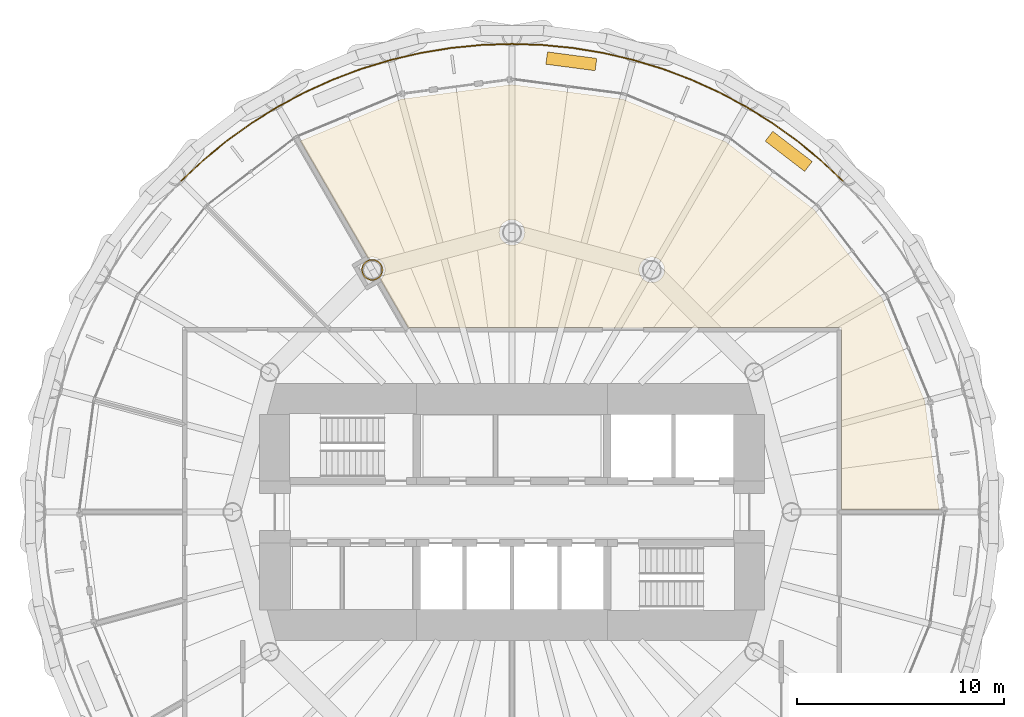
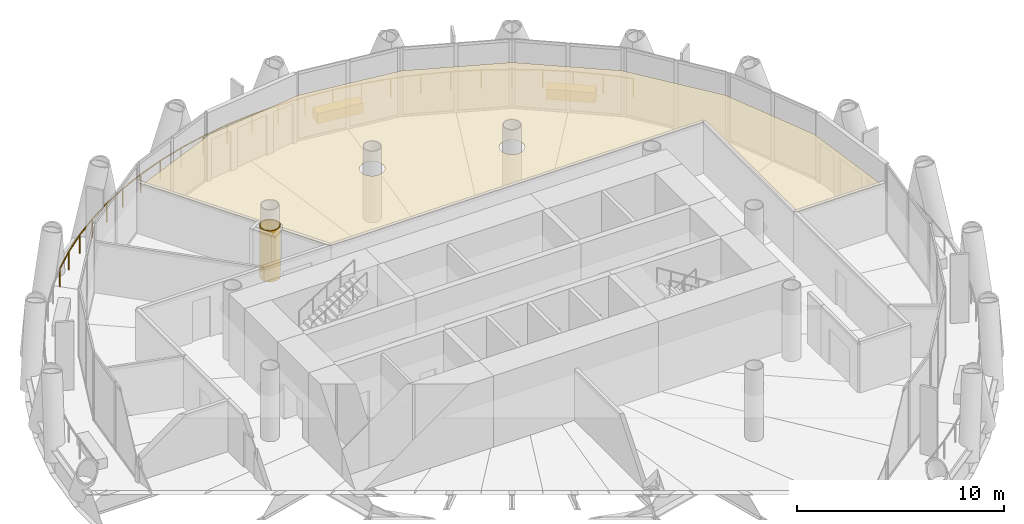
# One storey, part 14 of 14: 4 coverings, 1 railing.
"""IFC4 building model written with IfcOpenShell, lengths in metres."""

import ifcopenshell
import ifcopenshell.guid

model = None  # the IFC model being written
_history = None  # IfcOwnerHistory: only IFC2X3 demands one
_inside = {}  # id of a spatial element -> (the spatial element, [elements in it])
_under = {}  # id of a project, library or spatial element -> (it, [spatial elements below it])
_declared = {}  # id of a project -> (the project, [libraries it declares])
_typed = {}  # id of a type object -> (the type object, [elements of that type])
_made_of = {}  # id of a material, layer set ... -> (it, [elements and type objects made of it])


def new_model(schema):
    """Start an empty IFC model of exactly this schema.

    Asked for "IFC4X3", IfcOpenShell would pick the latest addendum, in which some entities
    have other attributes; the version numbers below select the first issue.
    IFC2X3 requires an IfcOwnerHistory on every rooted entity: one is made here for all.
    """
    global model, _history
    if schema == "IFC4X3":
        model = ifcopenshell.file(schema_version=(4, 3, 0, 0))
    else:
        model = ifcopenshell.file(schema=schema)
    _inside.clear()
    _under.clear()
    _declared.clear()
    _typed.clear()
    _made_of.clear()
    _history = None
    if model.schema == "IFC2X3":
        org = make("IfcOrganization", Name="unknown")
        user = make(
            "IfcPersonAndOrganization",
            ThePerson=make("IfcPerson", FamilyName="unknown"),
            TheOrganization=org,
        )
        app = make(
            "IfcApplication",
            ApplicationDeveloper=org,
            Version="unknown",
            ApplicationFullName="unknown",
            ApplicationIdentifier="unknown",
        )
        _history = make(
            "IfcOwnerHistory",
            OwningUser=user,
            OwningApplication=app,
            ChangeAction="ADDED",
            CreationDate=0,
        )
    return model


def make(cls, **values):
    """One entity of the class cls with the attributes given. An attribute that is None is left unset."""
    return model.create_entity(
        cls, **{name: value for name, value in values.items() if value is not None}
    )


def rooted(cls, **values):
    """An entity with a GlobalId (a new one), such as an element, a storey or a relation."""
    return make(cls, GlobalId=ifcopenshell.guid.new(), OwnerHistory=_history, **values)


def si_unit(unit_type, name, prefix=None):
    """IfcSIUnit, for example si_unit("LENGTHUNIT", "METRE", prefix="MILLI")."""
    return make("IfcSIUnit", UnitType=unit_type, Prefix=prefix, Name=name)


def assignment(units):
    """IfcUnitAssignment: the units of a project."""
    return None if units is None else make("IfcUnitAssignment", Units=units)


def point(xyz):
    """IfcCartesianPoint."""
    return None if xyz is None else make("IfcCartesianPoint", Coordinates=xyz)


def direction(xyz):
    """IfcDirection."""
    return None if xyz is None else make("IfcDirection", DirectionRatios=xyz)


def frame(location, z_axis=None, x_axis=None):
    """IfcAxis2Placement3D, a coordinate frame: its origin and axes. An axis left out is left unset."""
    return make(
        "IfcAxis2Placement3D",
        Location=point(location),
        Axis=direction(z_axis),
        RefDirection=direction(x_axis),
    )


def frame_2d(location, x_axis=None):
    """IfcAxis2Placement2D, a coordinate frame in the plane: its origin and x axis."""
    return make(
        "IfcAxis2Placement2D", Location=point(location), RefDirection=direction(x_axis)
    )


def origin():
    """The frame at (0, 0, 0) with its axes left unset."""
    return frame((0.0, 0.0, 0.0))


def origin_2d():
    """The frame at (0, 0) in the plane with its x axis left unset."""
    return frame_2d((0.0, 0.0))


def place(relative_to, where):
    """IfcLocalPlacement: puts the frame where relative to a parent placement (None: the world)."""
    return make(
        "IfcLocalPlacement", PlacementRelTo=relative_to, RelativePlacement=where
    )


def context(
    kind, dimensions, precision=None, world=None, true_north=None, identifier=None
):
    """IfcGeometricRepresentationContext, for example the 3D "Model" context."""
    return make(
        "IfcGeometricRepresentationContext",
        ContextIdentifier=identifier,
        ContextType=kind,
        CoordinateSpaceDimension=dimensions,
        Precision=precision,
        WorldCoordinateSystem=world,
        TrueNorth=true_north,
    )


def subcontext(parent, identifier, kind, view, scale=None):
    """IfcGeometricRepresentationSubContext, for example "Body" below "Model"."""
    return make(
        "IfcGeometricRepresentationSubContext",
        ContextIdentifier=identifier,
        ContextType=kind,
        ParentContext=parent,
        TargetScale=scale,
        TargetView=view,
    )


def project(units=None, contexts=None):
    """IfcProject with its units and contexts."""
    return rooted(
        "IfcProject",
        Name="project",
        RepresentationContexts=contexts,
        UnitsInContext=assignment(units),
    )


def spatial(cls, under=None, at=None, **own):
    """A site, building, storey or space (cls), placed at a placement, below another one or the project."""
    s = rooted(cls, ObjectPlacement=at, **own)
    if under is not None:
        _under.setdefault(under.id(), (under, []))[1].append(s)
    return s


def polyline(points):
    """IfcPolyline through the points."""
    return make("IfcPolyline", Points=[point(p) for p in points])


def profile(cls, at=None, kind="AREA", **sizes):
    """A parametric profile (cls). Its sizes go by their IFC names, for example OverallWidth=200.0."""
    return make(cls, ProfileType=kind, Position=at, **sizes)


def rectangle(**sizes):
    """IfcRectangleProfileDef."""
    return profile("IfcRectangleProfileDef", **sizes)


def circle(**sizes):
    """IfcCircleProfileDef."""
    return profile("IfcCircleProfileDef", **sizes)


def outline(outer, holes=None, kind="AREA"):
    """IfcArbitraryClosedProfileDef: a profile drawn as a closed curve; with holes, ...WithVoids."""
    if holes is None:
        return make("IfcArbitraryClosedProfileDef", ProfileType=kind, OuterCurve=outer)
    return make(
        "IfcArbitraryProfileDefWithVoids",
        ProfileType=kind,
        OuterCurve=outer,
        InnerCurves=holes,
    )


def extrude(swept, where, along, depth):
    """IfcExtrudedAreaSolid: the profile swept, set in the frame where, extruded along a direction by depth."""
    return make(
        "IfcExtrudedAreaSolid",
        SweptArea=swept,
        Position=where,
        ExtrudedDirection=direction(along),
        Depth=depth,
    )


def shape(context_of_items, identifier, shape_type, items):
    """IfcShapeRepresentation: the items that make up one representation, for example the "Body"."""
    return make(
        "IfcShapeRepresentation",
        ContextOfItems=context_of_items,
        RepresentationIdentifier=identifier,
        RepresentationType=shape_type,
        Items=items,
    )


def material(Name=None, Category=None):
    """IfcMaterial."""
    return make("IfcMaterial", Name=Name, Category=Category)


def layer(
    of_material, thickness, ventilated=None, Name=None, Category=None, Priority=None
):
    """IfcMaterialLayer: one layer of a wall or slab, of a material (None: an air gap)."""
    return make(
        "IfcMaterialLayer",
        Material=of_material,
        LayerThickness=thickness,
        IsVentilated=ventilated,
        Name=Name,
        Category=Category,
        Priority=Priority,
    )


def layer_set(layers, Name=None):
    """IfcMaterialLayerSet."""
    return make("IfcMaterialLayerSet", MaterialLayers=layers, LayerSetName=Name)


def made_of(thing, what):
    """Note that an element or type object is made of a material, layer set ...; save() writes the relation."""
    if what is not None:
        _made_of.setdefault(what.id(), (what, []))[1].append(thing)
    return thing


def type_object(cls, material=None, **own):
    """A type object (cls), such as IfcWallType, which elements share."""
    return made_of(rooted(cls, **own), material)


def element(
    cls,
    number,
    at=None,
    inside=None,
    cuts=None,
    type_object=None,
    material=None,
    context=None,
    identifier="Body",
    shape_type=None,
    held_by="IfcProductDefinitionShape",
    body=None,
    shapes=None,
    **own,
):
    """One element of the class cls, such as IfcWall. Its Tag is "e" and its number.

    at: its placement. inside: the storey or other place that contains it. cuts: it is an
    opening in that element (IfcRelVoidsElement). A single representation is given by context,
    identifier, shape_type and body (its items); several are given by shapes. held_by: the class
    of the entity that holds the representations. save() writes the other relations.
    """
    e = rooted(cls, Tag="e%d" % number, ObjectPlacement=at, **own)
    if body is not None:
        shapes = [shape(context, identifier, shape_type, body)]
    if shapes is not None:
        e.Representation = make(held_by, Representations=shapes)
    if inside is not None:
        _inside.setdefault(inside.id(), (inside, []))[1].append(e)
    if cuts is not None:
        rooted(
            "IfcRelVoidsElement", RelatingBuildingElement=cuts, RelatedOpeningElement=e
        )
    if type_object is not None:
        _typed.setdefault(type_object.id(), (type_object, []))[1].append(e)
    return made_of(e, material)


def aggregate(whole, parts):
    """IfcRelAggregates: a whole, such as a stair, and the parts it consists of."""
    return rooted("IfcRelAggregates", RelatingObject=whole, RelatedObjects=parts)


def save(model, path):
    """Write the relations noted so far, then the file.

    IfcRelAggregates (storeys below a building ...), IfcRelContainedInSpatialStructure (elements
    in a storey), IfcRelDefinesByType, IfcRelAssociatesMaterial and IfcRelDeclares: one each for
    every whole, place, type object, material and project.
    """
    for whole, parts in _under.values():
        aggregate(whole, parts)
    for where, things in _inside.values():
        rooted(
            "IfcRelContainedInSpatialStructure",
            RelatedElements=things,
            RelatingStructure=where,
        )
    for kind, things in _typed.values():
        rooted("IfcRelDefinesByType", RelatedObjects=things, RelatingType=kind)
    for what, things in _made_of.values():
        rooted("IfcRelAssociatesMaterial", RelatedObjects=things, RelatingMaterial=what)
    for by, libraries in _declared.values():
        rooted("IfcRelDeclares", RelatingContext=by, RelatedDefinitions=libraries)
    model.write(path)


model = new_model("IFC4")

# Units and contexts
model_context = context("Model", 3, precision=1e-05, world=origin(), true_north=direction((0.0, 1.0)))
body_context = subcontext(model_context, "Body", "Model", "MODEL_VIEW")
ifc_project = project(units=[si_unit("LENGTHUNIT", "METRE"), si_unit("AREAUNIT", "SQUARE_METRE"), si_unit("VOLUMEUNIT", "CUBIC_METRE"), si_unit("PLANEANGLEUNIT", "RADIAN"), si_unit("MASSUNIT", "GRAM", prefix="KILO")], contexts=[model_context])

# Site, building, storey
site_placement = place(None, origin())
site = spatial("IfcSite", under=ifc_project, at=site_placement, CompositionType="ELEMENT")
building_placement = place(site_placement, origin())
building = spatial("IfcBuilding", under=site, at=building_placement, Name="Qaws Media Tower", CompositionType="ELEMENT")
storey_placement = place(building_placement, frame((0.0, 0.0, 206.60009765625)))
storey = spatial("IfcBuildingStorey", under=building, at=storey_placement, Name="L47", CompositionType="ELEMENT", Elevation=206.60009765625)

# Railing
ifc_material_1 = material(Name="Stainless steel and glass guard", Category="steel")
railing_type = type_object("IfcRailingType", Name="Balcony guard 1100", PredefinedType="GUARDRAIL", material=ifc_material_1)
railing_placement = place(storey_placement, frame((75.980712890625, 65.980712890625, 0.0)))
element("IfcRailing", 1, at=railing_placement, inside=storey, type_object=railing_type, Name="GR1 balcony guard L47-1", PredefinedType="GUARDRAIL", context=body_context, shape_type="SweptSolid", body=[
    extrude(circle(Radius=0.02392578125, at=origin_2d()), frame((0.0, 0.0, 1.076171875), z_axis=(-0.729918010526, 0.683534708636, 0.0), x_axis=(-0.683534708636, -0.729918010526, 0.0)), (0.0, 0.0, 1.0), 1.47900390625),
    extrude(circle(Radius=0.02392578125, at=origin_2d()), frame((-1.07958984375, 1.010986328125, 1.076171875), z_axis=(-0.773044305148, 0.6343520334, 0.0), x_axis=(-0.6343520334, -0.773044305148, 0.0)), (0.0, 0.0, 1.0), 1.478759765625),
    extrude(circle(Radius=0.02392578125, at=origin_2d()), frame((-2.22265625, 1.948974609375, 1.076171875), z_axis=(-0.812806706409, 0.582533482314, 0.0), x_axis=(-0.582533482314, -0.812806706409, 0.0)), (0.0, 0.0, 1.0), 1.47900390625),
    extrude(circle(Radius=0.02392578125, at=origin_2d()), frame((-3.4248046875, 2.810546875, 1.076171875), z_axis=(-0.849183285446, 0.528098236808, 0.0), x_axis=(-0.528098236808, -0.849183285446, 0.0)), (0.0, 0.0, 1.0), 1.47900390625),
    extrude(circle(Radius=0.02392578125, at=origin_2d()), frame((-4.6806640625, 3.591552734375, 1.076171875), z_axis=(-0.881982540226, 0.471282079795, 0.0), x_axis=(-0.471282079795, -0.881982540226, 0.0)), (0.0, 0.0, 1.0), 1.47900390625),
    extrude(circle(Radius=0.02392578125, at=origin_2d()), frame((-5.985107421875, 4.28857421875, 1.076171875), z_axis=(-0.910846457391, 0.412745358615, 0.0), x_axis=(-0.412745358615, -0.910846457391, 0.0)), (0.0, 0.0, 1.0), 1.478759765625),
    extrude(circle(Radius=0.02392578125, at=origin_2d()), frame((-7.33203125, 4.89892578125, 1.076171875), z_axis=(-0.935887448914, 0.352299138469, 0.0), x_axis=(-0.352299138469, -0.935887448914, 0.0)), (0.0, 0.0, 1.0), 1.478759765625),
    extrude(circle(Radius=0.02392578125, at=origin_2d()), frame((-8.716064453125, 5.419921875, 1.076171875), z_axis=(-0.956963294231, 0.290208982449, 0.0), x_axis=(-0.290208982449, -0.956963294231, 0.0)), (0.0, 0.0, 1.0), 1.47900390625),
    extrude(circle(Radius=0.02392578125, at=origin_2d()), frame((-10.13134765625, 5.84912109375, 1.076171875), z_axis=(-0.973865554702, 0.227125254792, 0.0), x_axis=(-0.227125254792, -0.973865554702, 0.0)), (0.0, 0.0, 1.0), 1.47900390625),
    extrude(circle(Radius=0.02392578125, at=origin_2d()), frame((-11.57177734375, 6.18505859375, 1.076171875), z_axis=(-0.986633820175, 0.162953075722, 0.0), x_axis=(-0.162953075722, -0.986633820175, 0.0)), (0.0, 0.0, 1.0), 1.478759765625),
    extrude(circle(Radius=0.02392578125, at=origin_2d()), frame((-13.03076171875, 6.426025390625, 1.076171875), z_axis=(-0.995197674488, 0.097885589811, 0.0), x_axis=(-0.097885589811, -0.995197674488, 0.0)), (0.0, 0.0, 1.0), 1.47900390625),
    extrude(circle(Radius=0.02392578125, at=origin_2d()), frame((-14.502685546875, 6.57080078125, 1.076171875), z_axis=(-0.999460191698, 0.032853085257, 0.0), x_axis=(-0.032853085257, -0.999460191698, 0.0)), (0.0, 0.0, 1.0), 1.478759765625),
    extrude(circle(Radius=0.02392578125, at=origin_2d()), frame((-15.980712890625, 6.619384765625, 1.076171875), z_axis=(-0.999460191698, -0.032853085257, 0.0), x_axis=(0.032853085257, -0.999460191698, 0.0)), (0.0, 0.0, 1.0), 1.478759765625),
    extrude(circle(Radius=0.02392578125, at=origin_2d()), frame((-17.458740234375, 6.57080078125, 1.076171875), z_axis=(-0.995197674488, -0.097885589811, 0.0), x_axis=(0.097885589811, -0.995197674488, 0.0)), (0.0, 0.0, 1.0), 1.47900390625),
    extrude(circle(Radius=0.02392578125, at=origin_2d()), frame((-18.9306640625, 6.426025390625, 1.076171875), z_axis=(-0.986633820175, -0.162953075722, 0.0), x_axis=(0.162953075722, -0.986633820175, 0.0)), (0.0, 0.0, 1.0), 1.478759765625),
    extrude(circle(Radius=0.02392578125, at=origin_2d()), frame((-20.3896484375, 6.18505859375, 1.076171875), z_axis=(-0.973865554702, -0.227125254792, 0.0), x_axis=(0.227125254792, -0.973865554702, 0.0)), (0.0, 0.0, 1.0), 1.47900390625),
    extrude(circle(Radius=0.02392578125, at=origin_2d()), frame((-21.830078125, 5.84912109375, 1.076171875), z_axis=(-0.956963294231, -0.290208982449, 0.0), x_axis=(0.290208982449, -0.956963294231, 0.0)), (0.0, 0.0, 1.0), 1.47900390625),
    extrude(circle(Radius=0.02392578125, at=origin_2d()), frame((-23.245361328125, 5.419921875, 1.076171875), z_axis=(-0.935887448914, -0.352299138469, 0.0), x_axis=(0.352299138469, -0.935887448914, 0.0)), (0.0, 0.0, 1.0), 1.478759765625),
    extrude(circle(Radius=0.02392578125, at=origin_2d()), frame((-24.62939453125, 4.89892578125, 1.076171875), z_axis=(-0.910846457391, -0.412745358615, 0.0), x_axis=(0.412745358615, -0.910846457391, 0.0)), (0.0, 0.0, 1.0), 1.478759765625),
    extrude(circle(Radius=0.02392578125, at=origin_2d()), frame((-25.976318359375, 4.28857421875, 1.076171875), z_axis=(-0.881982540226, -0.471282079795, 0.0), x_axis=(0.471282079795, -0.881982540226, 0.0)), (0.0, 0.0, 1.0), 1.47900390625),
    extrude(circle(Radius=0.02392578125, at=origin_2d()), frame((-27.28076171875, 3.591552734375, 1.076171875), z_axis=(-0.849183285446, -0.528098236808, 0.0), x_axis=(0.528098236808, -0.849183285446, 0.0)), (0.0, 0.0, 1.0), 1.47900390625),
    extrude(circle(Radius=0.02392578125, at=origin_2d()), frame((-28.53662109375, 2.810546875, 1.076171875), z_axis=(-0.812806706409, -0.582533482314, 0.0), x_axis=(0.582533482314, -0.812806706409, 0.0)), (0.0, 0.0, 1.0), 1.47900390625),
    extrude(circle(Radius=0.02392578125, at=origin_2d()), frame((-29.73876953125, 1.948974609375, 1.076171875), z_axis=(-0.773044305148, -0.6343520334, 0.0), x_axis=(0.6343520334, -0.773044305148, 0.0)), (0.0, 0.0, 1.0), 1.478759765625),
    extrude(circle(Radius=0.02392578125, at=origin_2d()), frame((-30.8818359375, 1.010986328125, 1.076171875), z_axis=(-0.729918010526, -0.683534708636, 0.0), x_axis=(0.683534708636, -0.729918010526, 0.0)), (0.0, 0.0, 1.0), 1.47900390625),
    extrude(circle(Radius=0.02099609375, at=origin_2d()), origin(), (0.0, 0.0, 1.0), 1.052001953125),
    extrude(circle(Radius=0.02099609375, at=origin_2d()), frame((-1.07958984375, 1.010986328125, 0.0)), (0.0, 0.0, 1.0), 1.052001953125),
    extrude(circle(Radius=0.02099609375, at=origin_2d()), frame((-2.22265625, 1.948974609375, 0.0)), (0.0, 0.0, 1.0), 1.052001953125),
    extrude(circle(Radius=0.02099609375, at=origin_2d()), frame((-3.4248046875, 2.810546875, 0.0)), (0.0, 0.0, 1.0), 1.052001953125),
    extrude(circle(Radius=0.02099609375, at=origin_2d()), frame((-4.6806640625, 3.591552734375, 0.0)), (0.0, 0.0, 1.0), 1.052001953125),
    extrude(circle(Radius=0.02099609375, at=origin_2d()), frame((-5.985107421875, 4.28857421875, 0.0)), (0.0, 0.0, 1.0), 1.052001953125),
    extrude(circle(Radius=0.02099609375, at=origin_2d()), frame((-7.33203125, 4.89892578125, 0.0)), (0.0, 0.0, 1.0), 1.052001953125),
    extrude(circle(Radius=0.02099609375, at=origin_2d()), frame((-8.716064453125, 5.419921875, 0.0)), (0.0, 0.0, 1.0), 1.052001953125),
    extrude(circle(Radius=0.02099609375, at=origin_2d()), frame((-10.13134765625, 5.84912109375, 0.0)), (0.0, 0.0, 1.0), 1.052001953125),
    extrude(circle(Radius=0.02099609375, at=origin_2d()), frame((-11.57177734375, 6.18505859375, 0.0)), (0.0, 0.0, 1.0), 1.052001953125),
    extrude(circle(Radius=0.02099609375, at=origin_2d()), frame((-13.03076171875, 6.426025390625, 0.0)), (0.0, 0.0, 1.0), 1.052001953125),
    extrude(circle(Radius=0.02099609375, at=origin_2d()), frame((-14.502685546875, 6.57080078125, 0.0)), (0.0, 0.0, 1.0), 1.052001953125),
    extrude(circle(Radius=0.02099609375, at=origin_2d()), frame((-15.980712890625, 6.619384765625, 0.0)), (0.0, 0.0, 1.0), 1.052001953125),
    extrude(circle(Radius=0.02099609375, at=origin_2d()), frame((-17.458740234375, 6.57080078125, 0.0)), (0.0, 0.0, 1.0), 1.052001953125),
    extrude(circle(Radius=0.02099609375, at=origin_2d()), frame((-18.9306640625, 6.426025390625, 0.0)), (0.0, 0.0, 1.0), 1.052001953125),
    extrude(circle(Radius=0.02099609375, at=origin_2d()), frame((-20.3896484375, 6.18505859375, 0.0)), (0.0, 0.0, 1.0), 1.052001953125),
    extrude(circle(Radius=0.02099609375, at=origin_2d()), frame((-21.830078125, 5.84912109375, 0.0)), (0.0, 0.0, 1.0), 1.052001953125),
    extrude(circle(Radius=0.02099609375, at=origin_2d()), frame((-23.245361328125, 5.419921875, 0.0)), (0.0, 0.0, 1.0), 1.052001953125),
    extrude(circle(Radius=0.02099609375, at=origin_2d()), frame((-24.62939453125, 4.89892578125, 0.0)), (0.0, 0.0, 1.0), 1.052001953125),
    extrude(circle(Radius=0.02099609375, at=origin_2d()), frame((-25.976318359375, 4.28857421875, 0.0)), (0.0, 0.0, 1.0), 1.052001953125),
    extrude(circle(Radius=0.02099609375, at=origin_2d()), frame((-27.28076171875, 3.591552734375, 0.0)), (0.0, 0.0, 1.0), 1.052001953125),
    extrude(circle(Radius=0.02099609375, at=origin_2d()), frame((-28.53662109375, 2.810546875, 0.0)), (0.0, 0.0, 1.0), 1.052001953125),
    extrude(circle(Radius=0.02099609375, at=origin_2d()), frame((-29.73876953125, 1.948974609375, 0.0)), (0.0, 0.0, 1.0), 1.052001953125),
    extrude(circle(Radius=0.02099609375, at=origin_2d()), frame((-30.8818359375, 1.010986328125, 0.0)), (0.0, 0.0, 1.0), 1.052001953125),
    extrude(circle(Radius=0.02099609375, at=origin_2d()), frame((-31.96142578125, 0.0, 0.0)), (0.0, 0.0, 1.0), 1.052001953125),
])

# Coverings
ifc_material_2 = material(Name="Two layers 15 fire-rated gypsum board on steel framing", Category="steel")
ifc_layer_1 = layer(ifc_material_2, 0.050048828125)
ifc_layer_set_1 = layer_set([ifc_layer_1], Name="Column fire casing")
covering_type_1 = type_object("IfcCoveringType", Name="Column fire casing", PredefinedType="CLADDING", material=ifc_layer_set_1)
covering_1_placement = place(storey_placement, origin())
element("IfcCovering", 2, at=covering_1_placement, inside=storey, type_object=covering_type_1, Name="CC1 column casing L47", PredefinedType="CLADDING", context=body_context, shape_type="SweptSolid", body=[
    extrude(outline(polyline([(53.761962890625, 61.69140625), (53.757568359375, 61.62451171875), (53.74462890625, 61.558837890625), (53.722900390625, 61.495361328125), (53.693359375, 61.435302734375), (53.65625, 61.379638671875), (53.612060546875, 61.329345703125), (53.561767578125, 61.28515625), (53.506103515625, 61.247802734375), (53.44580078125, 61.21826171875), (53.382568359375, 61.19677734375), (53.31689453125, 61.18359375), (53.25, 61.17919921875), (53.18310546875, 61.18359375), (53.117431640625, 61.19677734375), (53.05419921875, 61.21826171875), (52.993896484375, 61.247802734375), (52.938232421875, 61.28515625), (52.887939453125, 61.329345703125), (52.84375, 61.379638671875), (52.806640625, 61.435302734375), (52.777099609375, 61.495361328125), (52.75537109375, 61.558837890625), (52.742431640625, 61.62451171875), (52.738037109375, 61.69140625), (52.742431640625, 61.75830078125), (52.75537109375, 61.823974609375), (52.777099609375, 61.88720703125), (52.806640625, 61.947265625), (52.84375, 62.0029296875), (52.887939453125, 62.053466796875), (52.938232421875, 62.097412109375), (52.993896484375, 62.134765625), (53.05419921875, 62.164306640625), (53.117431640625, 62.185791015625), (53.18310546875, 62.198974609375), (53.25, 62.203369140625), (53.31689453125, 62.198974609375), (53.382568359375, 62.185791015625), (53.44580078125, 62.164306640625), (53.506103515625, 62.134765625), (53.561767578125, 62.097412109375), (53.612060546875, 62.053466796875), (53.65625, 62.0029296875), (53.693359375, 61.947265625), (53.722900390625, 61.88720703125), (53.74462890625, 61.823974609375), (53.757568359375, 61.75830078125), (53.761962890625, 61.69140625)]), holes=[polyline([(53.7099609375, 61.69140625), (53.7060546875, 61.63134765625), (53.6943359375, 61.572265625), (53.675048828125, 61.515380859375), (53.6484375, 61.461181640625), (53.614990234375, 61.411376953125), (53.5751953125, 61.3662109375), (53.530029296875, 61.326416015625), (53.47998046875, 61.29296875), (53.426025390625, 61.266357421875), (53.369140625, 61.2470703125), (53.31005859375, 61.2353515625), (53.25, 61.231201171875), (53.18994140625, 61.2353515625), (53.130859375, 61.2470703125), (53.073974609375, 61.266357421875), (53.02001953125, 61.29296875), (52.969970703125, 61.326416015625), (52.9248046875, 61.3662109375), (52.885009765625, 61.411376953125), (52.8515625, 61.461181640625), (52.824951171875, 61.515380859375), (52.8056640625, 61.572265625), (52.7939453125, 61.63134765625), (52.7900390625, 61.69140625), (52.7939453125, 61.75146484375), (52.8056640625, 61.810302734375), (52.824951171875, 61.867431640625), (52.8515625, 61.92138671875), (52.885009765625, 61.971435546875), (52.9248046875, 62.0166015625), (52.969970703125, 62.056396484375), (53.02001953125, 62.089599609375), (53.073974609375, 62.1162109375), (53.130859375, 62.1357421875), (53.18994140625, 62.1474609375), (53.25, 62.1513671875), (53.31005859375, 62.1474609375), (53.369140625, 62.1357421875), (53.426025390625, 62.1162109375), (53.47998046875, 62.089599609375), (53.530029296875, 62.056396484375), (53.5751953125, 62.0166015625), (53.614990234375, 61.971435546875), (53.6484375, 61.92138671875), (53.675048828125, 61.867431640625), (53.6943359375, 61.810302734375), (53.7060546875, 61.75146484375), (53.7099609375, 61.69140625)])]), origin(), (0.0, 0.0, 1.0), 3.011962890625),
])
ifc_material_3 = material(Name="600 x 600 mineral fibre tiles in exposed grid, suspended", Category="mineral fibre")
ifc_layer_2 = layer(ifc_material_3, 0.02001953125)
ifc_layer_set_2 = layer_set([ifc_layer_2], Name="Mineral fibre tile ceiling 20")
covering_type_2 = type_object("IfcCoveringType", Name="Mineral fibre tile ceiling 20", PredefinedType="CEILING", material=ifc_layer_set_2)
covering_2_placement = place(storey_placement, frame((0.0, 0.0, 2.849853515625)))
element("IfcCovering", 3, at=covering_2_placement, inside=storey, type_object=covering_type_2, Name="CL1 ceiling L47-02 Tenant studio office", PredefinedType="CEILING", context=body_context, shape_type="SweptSolid", body=[
    extrude(outline(polyline([(54.6591796875, 69.93212890625), (60.0, 70.63525390625), (65.3408203125, 69.93212890625), (70.317626953125, 67.87060546875), (74.59130859375, 64.59130859375), (77.87060546875, 60.317626953125), (79.93212890625, 55.3408203125), (80.620361328125, 50.112548828125), (75.91259765625, 50.112548828125), (75.91259765625, 58.91259765625), (54.984375, 58.91259765625), (53.650146484375, 61.223388671875), (53.686279296875, 61.255126953125), (53.739501953125, 61.315673828125), (53.7841796875, 61.3828125), (53.820068359375, 61.455078125), (53.845947265625, 61.53173828125), (53.86181640625, 61.61083984375), (53.866943359375, 61.69140625), (53.86181640625, 61.77197265625), (53.845947265625, 61.85107421875), (53.820068359375, 61.927490234375), (53.7841796875, 61.999755859375), (53.739501953125, 62.06689453125), (53.686279296875, 62.127685546875), (53.62548828125, 62.180908203125), (53.55859375, 62.2255859375), (53.486083984375, 62.261474609375), (53.40966796875, 62.287353515625), (53.33056640625, 62.302978515625), (53.25, 62.308349609375), (53.16943359375, 62.302978515625), (53.09033203125, 62.287353515625), (53.044921875, 62.27197265625), (49.787109375, 67.9140625), (54.6591796875, 69.93212890625)]), holes=[polyline([(60.570068359375, 63.263916015625), (60.595947265625, 63.34033203125), (60.61181640625, 63.41943359375), (60.616943359375, 63.5), (60.61181640625, 63.58056640625), (60.595947265625, 63.65966796875), (60.570068359375, 63.736083984375), (60.5341796875, 63.80859375), (60.489501953125, 63.87548828125), (60.436279296875, 63.936279296875), (60.37548828125, 63.989501953125), (60.30859375, 64.0341796875), (60.236083984375, 64.070068359375), (60.15966796875, 64.095947265625), (60.08056640625, 64.11181640625), (60.0, 64.116943359375), (59.91943359375, 64.11181640625), (59.84033203125, 64.095947265625), (59.763916015625, 64.070068359375), (59.69140625, 64.0341796875), (59.62451171875, 63.989501953125), (59.563720703125, 63.936279296875), (59.510498046875, 63.87548828125), (59.4658203125, 63.80859375), (59.429931640625, 63.736083984375), (59.404052734375, 63.65966796875), (59.38818359375, 63.58056640625), (59.383056640625, 63.5), (59.38818359375, 63.41943359375), (59.404052734375, 63.34033203125), (59.429931640625, 63.263916015625), (59.4658203125, 63.19140625), (59.510498046875, 63.12451171875), (59.563720703125, 63.063720703125), (59.62451171875, 63.010498046875), (59.69140625, 62.9658203125), (59.763916015625, 62.929931640625), (59.84033203125, 62.904052734375), (59.91943359375, 62.88818359375), (60.0, 62.883056640625), (60.08056640625, 62.88818359375), (60.15966796875, 62.904052734375), (60.236083984375, 62.929931640625), (60.30859375, 62.9658203125), (60.37548828125, 63.010498046875), (60.436279296875, 63.063720703125), (60.489501953125, 63.12451171875), (60.5341796875, 63.19140625), (60.570068359375, 63.263916015625)]), polyline([(67.320068359375, 61.455078125), (67.345947265625, 61.53173828125), (67.36181640625, 61.61083984375), (67.366943359375, 61.69140625), (67.36181640625, 61.77197265625), (67.345947265625, 61.85107421875), (67.320068359375, 61.927490234375), (67.2841796875, 61.999755859375), (67.239501953125, 62.06689453125), (67.186279296875, 62.127685546875), (67.12548828125, 62.180908203125), (67.05859375, 62.2255859375), (66.986083984375, 62.261474609375), (66.90966796875, 62.287353515625), (66.83056640625, 62.302978515625), (66.75, 62.308349609375), (66.66943359375, 62.302978515625), (66.59033203125, 62.287353515625), (66.513916015625, 62.261474609375), (66.44140625, 62.2255859375), (66.37451171875, 62.180908203125), (66.313720703125, 62.127685546875), (66.260498046875, 62.06689453125), (66.2158203125, 61.999755859375), (66.179931640625, 61.927490234375), (66.154052734375, 61.85107421875), (66.13818359375, 61.77197265625), (66.133056640625, 61.69140625), (66.13818359375, 61.61083984375), (66.154052734375, 61.53173828125), (66.179931640625, 61.455078125), (66.2158203125, 61.3828125), (66.260498046875, 61.315673828125), (66.313720703125, 61.255126953125), (66.37451171875, 61.201904296875), (66.44140625, 61.156982421875), (66.513916015625, 61.121337890625), (66.59033203125, 61.095458984375), (66.66943359375, 61.07958984375), (66.75, 61.07421875), (66.83056640625, 61.07958984375), (66.90966796875, 61.095458984375), (66.986083984375, 61.121337890625), (67.05859375, 61.156982421875), (67.12548828125, 61.201904296875), (67.186279296875, 61.255126953125), (67.239501953125, 61.315673828125), (67.2841796875, 61.3828125), (67.320068359375, 61.455078125)])]), origin(), (0.0, 0.0, 1.0), 0.02001953125),
])
ifc_material_4 = material(Name="Precast concrete planter with trailing planting", Category="concrete")
ifc_layer_3 = layer(ifc_material_4, 0.60009765625)
ifc_layer_set_3 = layer_set([ifc_layer_3], Name="Planter 2400x600")
covering_type_3 = type_object("IfcCoveringType", Name="Planter 2400x600", PredefinedType="USERDEFINED", material=ifc_layer_set_3)
for number, where, z_axis, x_axis, name in (
    (4, (73.3623046875, 67.4140625, -0.000244140625), (0.0, 0.0, 1.0), (-0.793353340291, 0.608761429009, 0.0), "PL1 balcony planter L47-02"),
    (5, (62.864990234375, 71.76220703125, -0.000244140625), (0.0, 0.0, 1.0), (-0.991444861374, 0.13052619222, 0.0), "PL1 balcony planter L47-03"),
):
    element("IfcCovering", number, at=place(storey_placement, frame(where, z_axis=z_axis, x_axis=x_axis)), inside=storey, type_object=covering_type_3, Name=name, ObjectType="PLANTER", PredefinedType="USERDEFINED", context=body_context, shape_type="SweptSolid", body=[
        extrude(rectangle(XDim=2.39990234375, YDim=0.60009765625, at=origin_2d()), origin(), (0.0, 0.0, 1.0), 0.60009765625),
    ])

save(model, "model.ifc")
